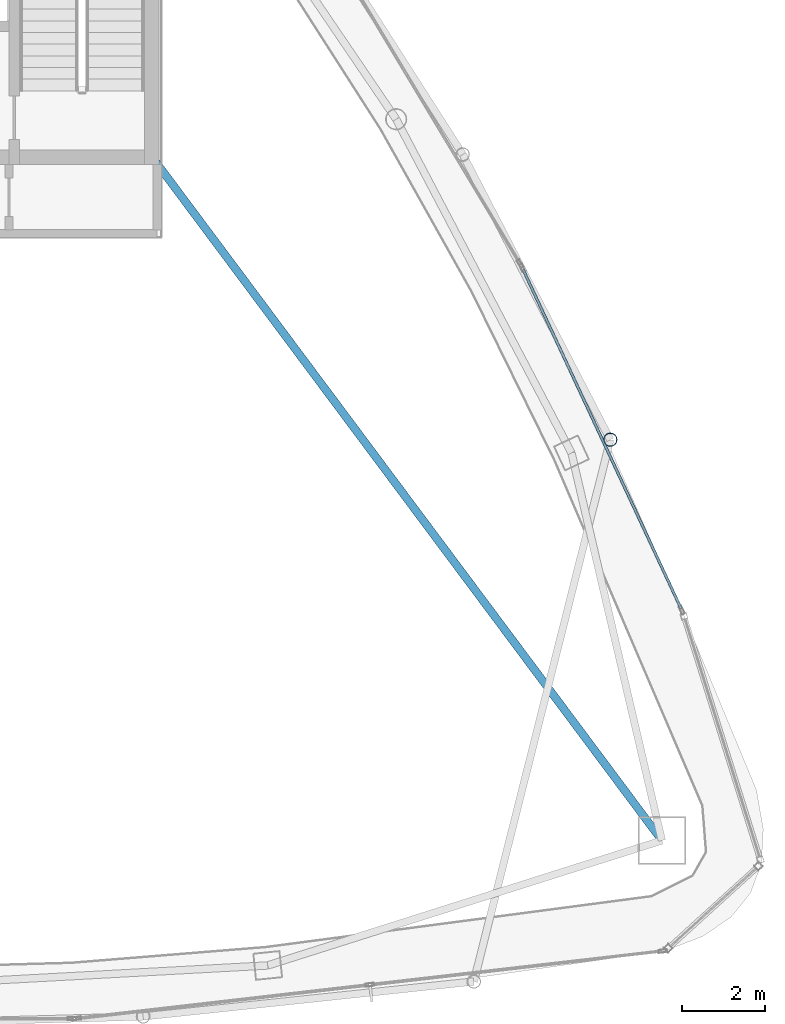
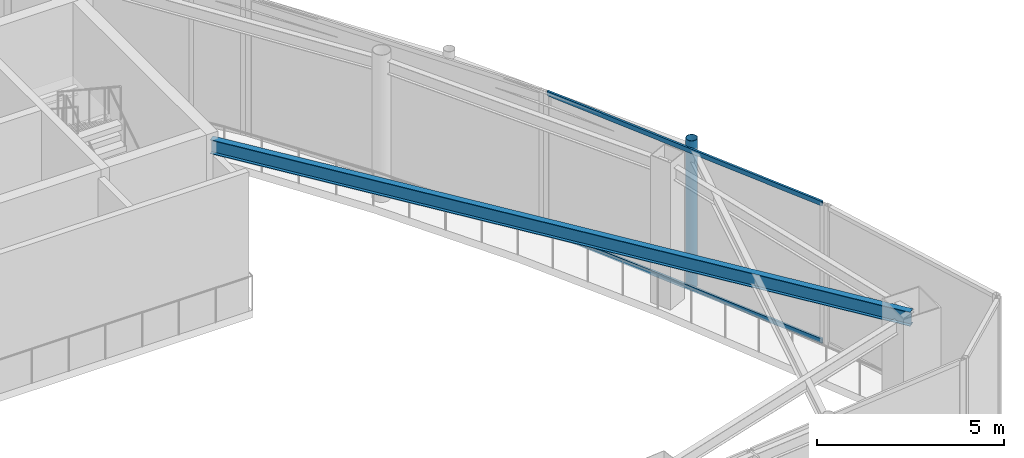
# One storey, part 12 of 19: 3 members, 1 beam, 1 element without a shape of its own.
"""IFC4 building model written with IfcOpenShell, lengths in metres."""

from ifc_helpers import new_model, si_unit, direction, frame, origin, origin_2d, place, context, subcontext, project, spatial, hollow_rectangle, hollow_circle, i_section, extrude, material, layer, layer_set, material_profile, profile_set, type_object, element, aggregate, save


model = new_model("IFC4")

# Units and contexts
model_context = context("Model", 3, precision=1e-05, world=origin(), true_north=direction((0.0, 1.0)))
body_context = subcontext(model_context, "Body", "Model", "MODEL_VIEW")
ifc_project = project(units=[si_unit("LENGTHUNIT", "METRE"), si_unit("AREAUNIT", "SQUARE_METRE"), si_unit("VOLUMEUNIT", "CUBIC_METRE"), si_unit("PLANEANGLEUNIT", "RADIAN"), si_unit("MASSUNIT", "GRAM", prefix="KILO")], contexts=[model_context])

# Site, building, storey
site_placement = place(None, origin())
site = spatial("IfcSite", under=ifc_project, at=site_placement, CompositionType="ELEMENT")
building_placement = place(site_placement, origin())
building = spatial("IfcBuilding", under=site, at=building_placement, Name="Orvanel Arch Residences", CompositionType="ELEMENT")
storey_placement = place(building_placement, frame((0.0, 0.0, 295.699951171875)))
storey = spatial("IfcBuildingStorey", under=building, at=storey_placement, Name="L83", CompositionType="ELEMENT", Elevation=295.699951171875)

# Beam
ifc_material_1 = material(Name="Structural steel AS/NZS 3679.1 Grade 300 (300 MPa)", Category="steel")
ifc_material_profile_1 = material_profile(ifc_material_1, i_section(OverallWidth=0.19091796875, OverallDepth=0.4599609375, WebThickness=0.010009765625, FlangeThickness=0.01611328125, at=origin_2d()), Name="460UB82.1")
ifc_profile_set_1 = profile_set([ifc_material_profile_1], Name="Structural steel AS/NZS 3679.1 Grade 300 (300 MPa)")
beam_type = type_object("IfcBeamType", Name="BG-460UB", PredefinedType="BEAM", material=ifc_profile_set_1)
beam_placement = place(storey_placement, frame((39.625, 26.675048828125, 4.320068359375), z_axis=(0.597893733742, -0.801575375839, 0.0), x_axis=(0.801575375839, 0.597893733742, 0.0)))
element("IfcBeam", 1, at=beam_placement, inside=storey, type_object=beam_type, Name="L83 South-East Radial Girder", PredefinedType="BEAM", context=body_context, shape_type="SweptSolid", body=[
    extrude(i_section(OverallWidth=0.19091796875, OverallDepth=0.4599609375, WebThickness=0.010009765625, FlangeThickness=0.01611328125, at=origin_2d()), origin(), (0.0, 0.0, 1.0), 20.36474609375),
])

# Member
ifc_material_2 = material(Name="Structural steel AS/NZS 1163 C350L0 (Grade 350)", Category="steel")
ifc_material_profile_2 = material_profile(ifc_material_2, hollow_circle(Radius=0.162109375, WallThickness=0.0126953125, at=origin_2d()), Name="CHS324x12.7")
ifc_profile_set_2 = profile_set([ifc_material_profile_2], Name="Structural steel AS/NZS 1163 C350L0 (Grade 350)")
member_type_1 = type_object("IfcMemberType", Name="ST-324CHS-EXT", PredefinedType="STRUT", material=ifc_profile_set_2)
member_1_placement = place(storey_placement, frame((50.56396484375, 19.9580078125, 0.0), z_axis=(0.0, 0.0, 1.0), x_axis=(1.0, 0.0, 0.0)))
element("IfcMember", 2, at=member_1_placement, inside=storey, type_object=member_type_1, Name="L83 Outer Perimeter Frame Post 09", PredefinedType="STRUT", context=body_context, shape_type="SweptSolid", body=[
    extrude(hollow_circle(Radius=0.162109375, WallThickness=0.0126953125, at=origin_2d()), origin(), (0.0, 0.0, 1.0), 4.800048828125),
])

# Curtain wall, members
ifc_material_3 = material(Name="Bronze-anodised aluminium AA6063-T6", Category="aluminium")
ifc_layer = layer(ifc_material_3, 0.2099609375)
ifc_layer_set = layer_set([ifc_layer], Name="Bronze-anodised aluminium AA6063-T6")
curtain_wall_type = type_object("IfcCurtainWallType", Name="CW7-TOP-SYS", PredefinedType="NOTDEFINED", material=ifc_layer_set)
curtain_wall_placement = place(storey_placement, origin())
curtain_wall = element("IfcCurtainWall", 3, at=curtain_wall_placement, inside=storey, type_object=curtain_wall_type, Name="L83 CW7-TOP-SYS Unitised Curtain Wall", PredefinedType="NOTDEFINED")
ifc_material_profile_3 = material_profile(ifc_material_3, hollow_rectangle(XDim=0.06494140625, YDim=0.14990234375, WallThickness=0.00390625, at=origin_2d()), Name="ALU150x65x4")
ifc_profile_set_3 = profile_set([ifc_material_profile_3], Name="Bronze-anodised aluminium AA6063-T6")
member_type_2 = type_object("IfcMemberType", Name="TRN-150x65", PredefinedType="USERDEFINED", material=ifc_profile_set_3)
member_2_placement = place(storey_placement, frame((52.26220703125, 15.906005859375, 0.032470703125), z_axis=(-0.422353742723, 0.906431087291, 0.0), x_axis=(-0.906431087291, -0.422353742723, 0.0)))
member_2 = element("IfcMember", 4, at=member_2_placement, type_object=member_type_2, Name="CW-S7 transom 1.1", ObjectType="TRANSOM", PredefinedType="USERDEFINED", context=body_context, shape_type="SweptSolid", body=[
    extrude(hollow_rectangle(XDim=0.06494140625, YDim=0.14990234375, WallThickness=0.00390625, at=origin_2d()), origin(), (0.0, 0.0, 1.0), 8.974853515625),
])
member_3_placement = place(storey_placement, frame((52.26220703125, 15.906005859375, 4.517578125), z_axis=(-0.422353742723, 0.906431087291, 0.0), x_axis=(-0.906431087291, -0.422353742723, 0.0)))
member_3 = element("IfcMember", 5, at=member_3_placement, type_object=member_type_2, Name="CW-S7 transom 1.2", ObjectType="TRANSOM", PredefinedType="USERDEFINED", context=body_context, shape_type="SweptSolid", body=[
    extrude(hollow_rectangle(XDim=0.06494140625, YDim=0.14990234375, WallThickness=0.00390625, at=origin_2d()), origin(), (0.0, 0.0, 1.0), 8.974853515625),
])
aggregate(curtain_wall, [member_2, member_3])

save(model, "model.ifc")
